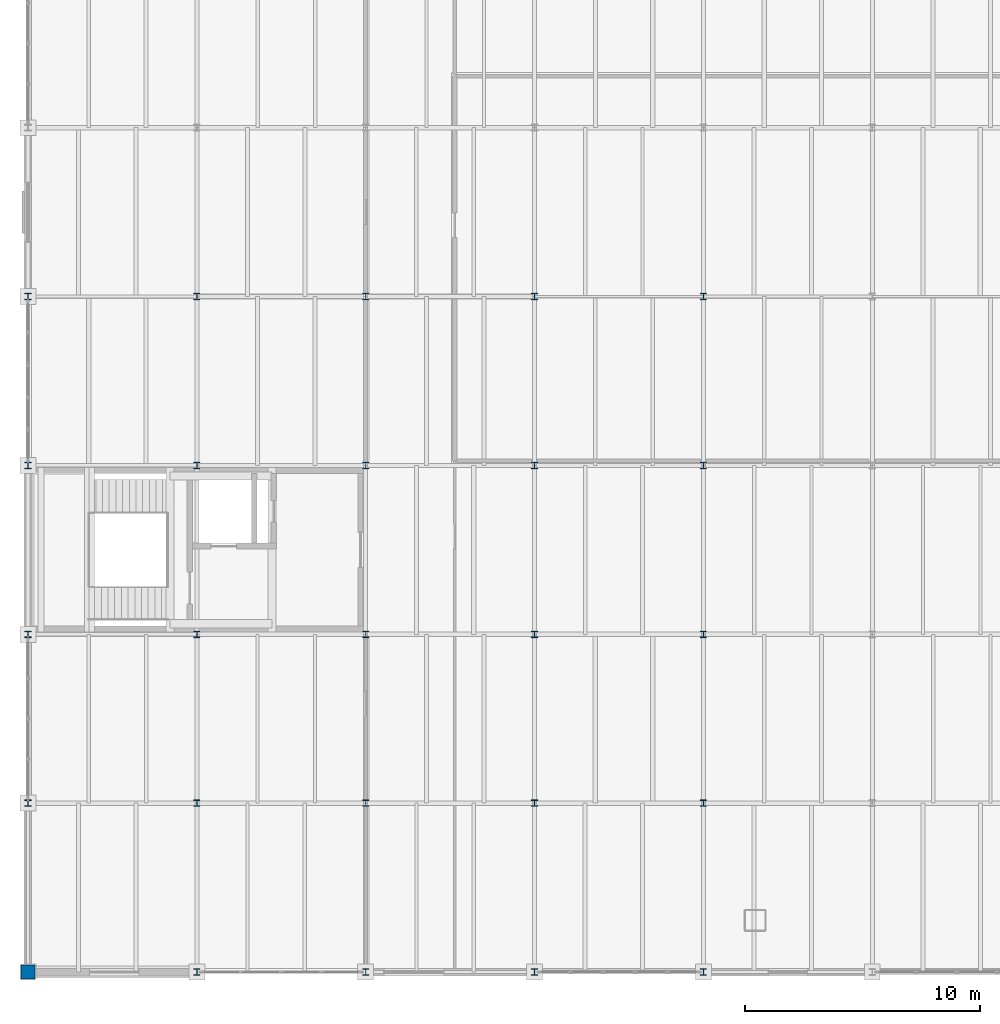
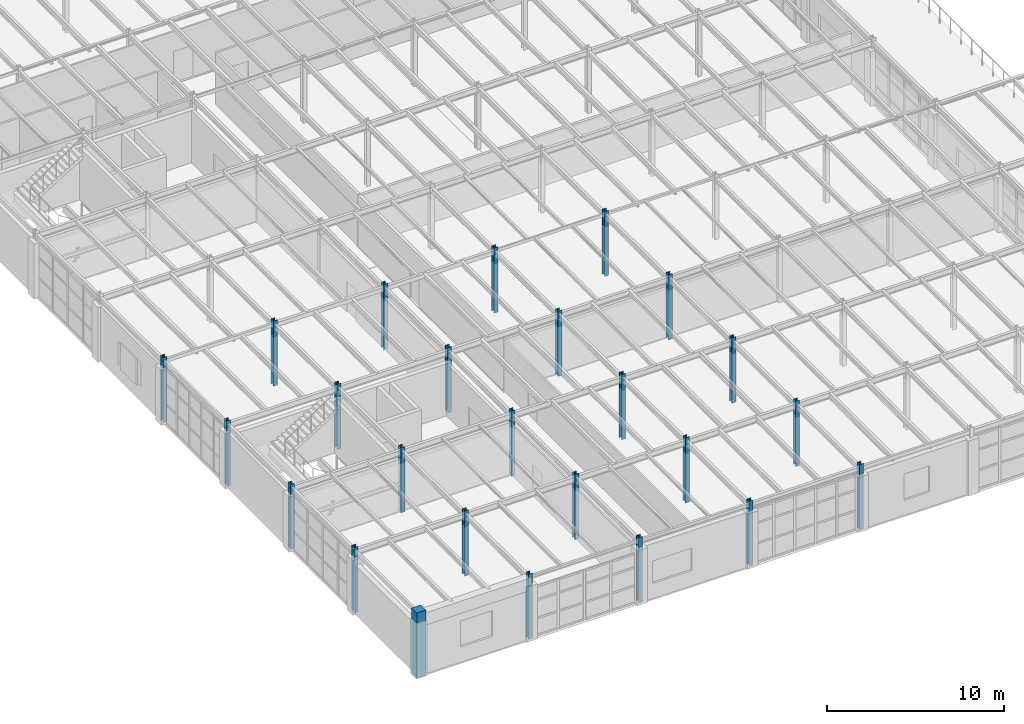
# One storey, part 1 of 101: 25 columns.
"""IFC4 building model written with IfcOpenShell, lengths in metres."""

from ifc_helpers import new_model, si_unit, direction, frame, origin, origin_with_axes, origin_2d, place, context, subcontext, project, spatial, rectangle, i_section, extrude, material, material_profile, profile_set, type_object, element, save


model = new_model("IFC4")

# Units and contexts
model_context = context("Model", 3, precision=1e-05, world=origin(), true_north=direction((0.0, 1.0)))
body_context = subcontext(model_context, "Body", "Model", "MODEL_VIEW")
ifc_project = project(units=[si_unit("LENGTHUNIT", "METRE"), si_unit("AREAUNIT", "SQUARE_METRE"), si_unit("VOLUMEUNIT", "CUBIC_METRE"), si_unit("PLANEANGLEUNIT", "RADIAN"), si_unit("MASSUNIT", "GRAM", prefix="KILO")], contexts=[model_context])

# Site, building, storey
site_placement = place(None, origin())
site = spatial("IfcSite", under=ifc_project, at=site_placement, CompositionType="ELEMENT")
building_placement = place(site_placement, origin())
building = spatial("IfcBuilding", under=site, at=building_placement, Name="Kemerveld Promenade Tramway Depot", CompositionType="ELEMENT")
storey_placement = place(building_placement, frame((0.0, 0.0, 9.89990234375)))
storey = spatial("IfcBuildingStorey", under=building, at=storey_placement, Name="L02", CompositionType="ELEMENT", Elevation=9.89990234375)

# Columns
ifc_material_1 = material(Name="Concrete C40/50", Category="concrete")
ifc_material_profile_1 = material_profile(ifc_material_1, rectangle(XDim=0.60009765625, YDim=0.60009765625, at=origin_2d()), Name="RC-COL-600x600")
ifc_profile_set_1 = profile_set([ifc_material_profile_1], Name="Concrete C40/50")
column_type_1 = type_object("IfcColumnType", Name="COL-RC1", PredefinedType="COLUMN", material=ifc_profile_set_1)
column_placement = place(storey_placement, origin_with_axes())
element("IfcColumn", 1, at=column_placement, inside=storey, type_object=column_type_1, Name="COL-L02-01-A", PredefinedType="COLUMN", context=body_context, shape_type="SweptSolid", body=[
    extrude(rectangle(XDim=0.60009765625, YDim=0.60009765625, at=origin_2d()), origin(), (0.0, 0.0, 1.0), 4.5),
])
ifc_material_2 = material(Name="Steel S355", Category="steel")
ifc_material_profile_2 = material_profile(ifc_material_2, i_section(OverallWidth=0.26123046875, OverallDepth=0.2763671875, WebThickness=0.015380859375, FlangeThickness=0.025390625, FilletRadius=0.0126953125, at=origin_2d()), Name="254x254x132 UC")
ifc_profile_set_2 = profile_set([ifc_material_profile_2], Name="Steel S355")
column_type_2 = type_object("IfcColumnType", Name="COL-S07", PredefinedType="COLUMN", material=ifc_profile_set_2)
for number, where, z_axis, x_axis, name in (
    (2, (0.0, 7.199951171875, 0.0), (0.0, 0.0, 1.0), (1.0, 0.0, 0.0), "COL-L02-01-B"),
    (3, (0.0, 14.39990234375, 0.0), (0.0, 0.0, 1.0), (1.0, 0.0, 0.0), "COL-L02-01-C"),
    (4, (0.0, 21.60009765625, 0.0), (0.0, 0.0, 1.0), (1.0, 0.0, 0.0), "COL-L02-01-D"),
    (5, (0.0, 28.800048828125, 0.0), (0.0, 0.0, 1.0), (1.0, 0.0, 0.0), "COL-L02-01-E"),
    (6, (7.199951171875, 0.0, 0.0), (0.0, 0.0, 1.0), (1.0, 0.0, 0.0), "COL-L02-02-A"),
    (7, (7.199951171875, 7.199951171875, 0.0), (0.0, 0.0, 1.0), (1.0, 0.0, 0.0), "COL-L02-02-B"),
    (8, (7.199951171875, 14.39990234375, 0.0), (0.0, 0.0, 1.0), (1.0, 0.0, 0.0), "COL-L02-02-C"),
    (9, (7.199951171875, 21.60009765625, 0.0), (0.0, 0.0, 1.0), (1.0, 0.0, 0.0), "COL-L02-02-D"),
    (10, (7.199951171875, 28.800048828125, 0.0), (0.0, 0.0, 1.0), (1.0, 0.0, 0.0), "COL-L02-02-E"),
    (11, (14.39990234375, 0.0, 0.0), (0.0, 0.0, 1.0), (1.0, 0.0, 0.0), "COL-L02-03-A"),
    (12, (14.39990234375, 7.199951171875, 0.0), (0.0, 0.0, 1.0), (1.0, 0.0, 0.0), "COL-L02-03-B"),
    (13, (14.39990234375, 14.39990234375, 0.0), (0.0, 0.0, 1.0), (1.0, 0.0, 0.0), "COL-L02-03-C"),
    (14, (14.39990234375, 21.60009765625, 0.0), (0.0, 0.0, 1.0), (1.0, 0.0, 0.0), "COL-L02-03-D"),
    (15, (14.39990234375, 28.800048828125, 0.0), (0.0, 0.0, 1.0), (1.0, 0.0, 0.0), "COL-L02-03-E"),
    (16, (21.60009765625, 0.0, 0.0), (0.0, 0.0, 1.0), (1.0, 0.0, 0.0), "COL-L02-04-A"),
    (17, (21.60009765625, 7.199951171875, 0.0), (0.0, 0.0, 1.0), (1.0, 0.0, 0.0), "COL-L02-04-B"),
    (18, (21.60009765625, 14.39990234375, 0.0), (0.0, 0.0, 1.0), (1.0, 0.0, 0.0), "COL-L02-04-C"),
    (19, (21.60009765625, 21.60009765625, 0.0), (0.0, 0.0, 1.0), (1.0, 0.0, 0.0), "COL-L02-04-D"),
    (20, (21.60009765625, 28.800048828125, 0.0), (0.0, 0.0, 1.0), (1.0, 0.0, 0.0), "COL-L02-04-E"),
    (21, (28.800048828125, 0.0, 0.0), (0.0, 0.0, 1.0), (1.0, 0.0, 0.0), "COL-L02-05-A"),
    (22, (28.800048828125, 7.199951171875, 0.0), (0.0, 0.0, 1.0), (1.0, 0.0, 0.0), "COL-L02-05-B"),
    (23, (28.800048828125, 14.39990234375, 0.0), (0.0, 0.0, 1.0), (1.0, 0.0, 0.0), "COL-L02-05-C"),
    (24, (28.800048828125, 21.60009765625, 0.0), (0.0, 0.0, 1.0), (1.0, 0.0, 0.0), "COL-L02-05-D"),
    (25, (28.800048828125, 28.800048828125, 0.0), (0.0, 0.0, 1.0), (1.0, 0.0, 0.0), "COL-L02-05-E"),
):
    element("IfcColumn", number, at=place(storey_placement, frame(where, z_axis=z_axis, x_axis=x_axis)), inside=storey, type_object=column_type_2, Name=name, PredefinedType="COLUMN", context=body_context, shape_type="SweptSolid", body=[
        extrude(i_section(OverallWidth=0.26123046875, OverallDepth=0.2763671875, WebThickness=0.015380859375, FlangeThickness=0.025390625, FilletRadius=0.0126953125, at=origin_2d()), origin(), (0.0, 0.0, 1.0), 4.5),
    ])

save(model, "model.ifc")
